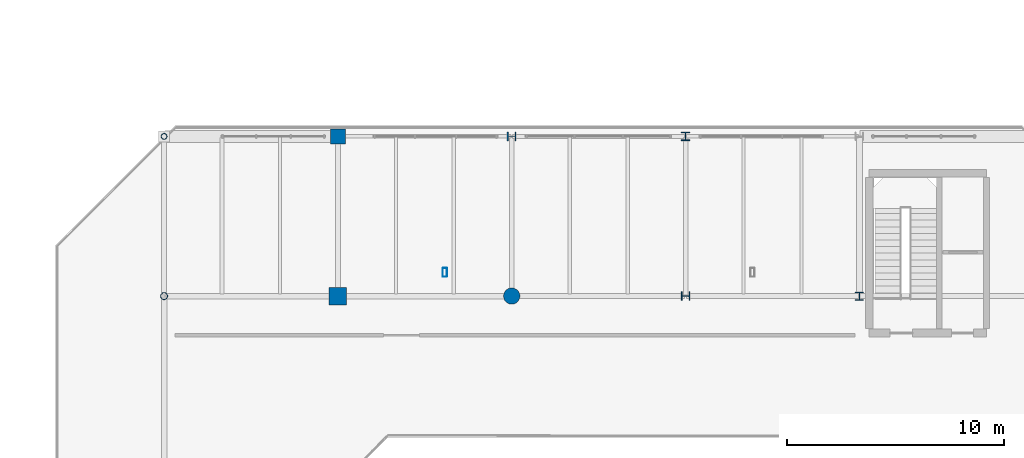
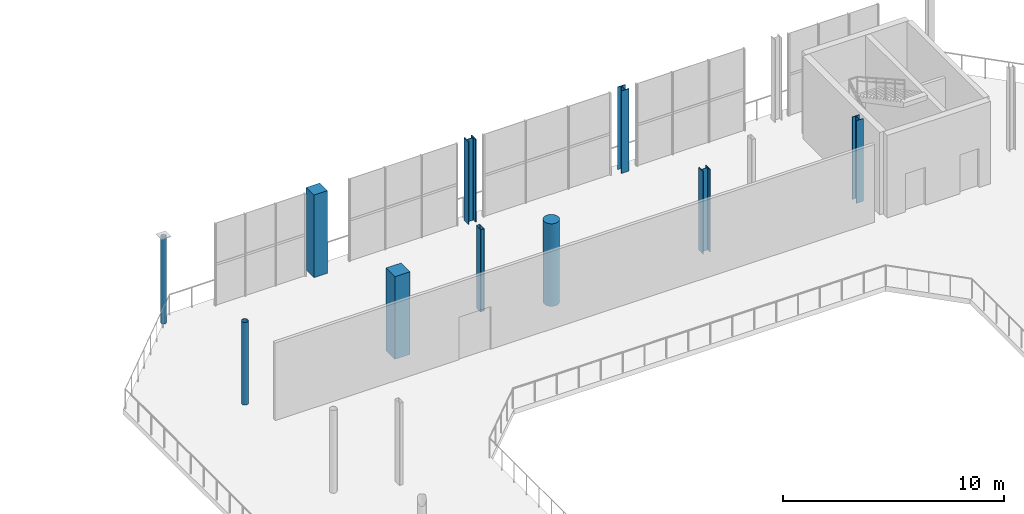
# One storey, part 8 of 51: 10 columns.
"""IFC4 building model written with IfcOpenShell, lengths in metres."""

from ifc_helpers import new_model, si_unit, direction, frame, origin, origin_2d, place, context, subcontext, project, spatial, rectangle, hollow_rectangle, circle, hollow_circle, i_section, extrude, material, material_profile, profile_set, type_object, element, save


model = new_model("IFC4")

# Units and contexts
model_context = context("Model", 3, precision=1e-05, world=origin(), true_north=direction((0.0, 1.0)))
body_context = subcontext(model_context, "Body", "Model", "MODEL_VIEW")
ifc_project = project(units=[si_unit("LENGTHUNIT", "METRE"), si_unit("AREAUNIT", "SQUARE_METRE"), si_unit("VOLUMEUNIT", "CUBIC_METRE"), si_unit("PLANEANGLEUNIT", "RADIAN"), si_unit("MASSUNIT", "GRAM", prefix="KILO")], contexts=[model_context])

# Site, building, storey
site_placement = place(None, origin())
site = spatial("IfcSite", under=ifc_project, at=site_placement, CompositionType="ELEMENT")
building_placement = place(site_placement, origin())
building = spatial("IfcBuilding", under=site, at=building_placement, Name="Brisemont Oceanarium", CompositionType="ELEMENT")
storey_placement = place(building_placement, frame((0.0, 0.0, 15.0)))
storey = spatial("IfcBuildingStorey", under=building, at=storey_placement, Name="L03", CompositionType="ELEMENT", Elevation=15.0)

# Columns
ifc_material_1 = material(Name="Structural Steel ASTM A500 Gr.C", Category="steel")
ifc_material_profile_1 = material_profile(ifc_material_1, hollow_circle(Radius=0.136474609375, WallThickness=0.01171875, at=origin_2d()), Name="HSS10.750X0.500")
ifc_profile_set_1 = profile_set([ifc_material_profile_1], Name="Structural Steel ASTM A500 Gr.C")
column_type_1 = type_object("IfcColumnType", Name="COL-CHS10", PredefinedType="COLUMN", material=ifc_profile_set_1)
column_1_placement = place(storey_placement, frame((64.0, 79.35009765625, 0.0), z_axis=(0.0, 0.0, 1.0), x_axis=(0.0, 1.0, 0.0)))
element("IfcColumn", 1, at=column_1_placement, inside=storey, type_object=column_type_1, Name="V1 L03 column (1,6)", PredefinedType="COLUMN", context=body_context, shape_type="SweptSolid", body=[
    extrude(hollow_circle(Radius=0.136474609375, WallThickness=0.01171875, at=origin_2d()), origin(), (0.0, 0.0, 1.0), 4.800048828125),
])
ifc_material_2 = material(Name="Structural Steel ASTM A500 Gr.C", Category="steel")
ifc_material_profile_2 = material_profile(ifc_material_2, hollow_circle(Radius=0.162109375, WallThickness=0.01171875, at=origin_2d()), Name="HSS12.750X0.500")
ifc_profile_set_2 = profile_set([ifc_material_profile_2], Name="Structural Steel ASTM A500 Gr.C")
column_type_2 = type_object("IfcColumnType", Name="COL-CHS12", PredefinedType="COLUMN", material=ifc_profile_set_2)
column_2_placement = place(storey_placement, frame((64.0, 72.0, 0.0), z_axis=(0.0, 0.0, 1.0), x_axis=(1.0, 0.0, 0.0)))
element("IfcColumn", 2, at=column_2_placement, inside=storey, type_object=column_type_2, Name="V1 L03 column (1,5)", PredefinedType="COLUMN", context=body_context, shape_type="SweptSolid", body=[
    extrude(hollow_circle(Radius=0.162109375, WallThickness=0.01171875, at=origin_2d()), origin(), (0.0, 0.0, 1.0), 4.56005859375),
])
ifc_material_3 = material(Name="Structural Steel ASTM A500 Gr.C", Category="steel")
ifc_material_profile_3 = material_profile(ifc_material_3, hollow_rectangle(XDim=0.202880859375, YDim=0.406005859375, WallThickness=0.01171875, InnerFilletRadius=0.01220703125, OuterFilletRadius=0.02392578125, at=origin_2d()), Name="HSS16X8X1/2")
ifc_profile_set_3 = profile_set([ifc_material_profile_3], Name="Structural Steel ASTM A500 Gr.C")
column_type_3 = type_object("IfcColumnType", Name="COL-HSS16X8", PredefinedType="COLUMN", material=ifc_profile_set_3)
column_3_placement = place(storey_placement, frame((76.92041015625, 73.091796875, 0.0), z_axis=(0.0, 0.0, 1.0), x_axis=(1.0, 0.0, 0.0)))
element("IfcColumn", 3, at=column_3_placement, inside=storey, type_object=column_type_3, Name="V1 dome drum pier L03.3", PredefinedType="COLUMN", context=body_context, shape_type="SweptSolid", body=[
    extrude(hollow_rectangle(XDim=0.202880859375, YDim=0.406005859375, WallThickness=0.01171875, InnerFilletRadius=0.01220703125, OuterFilletRadius=0.02392578125, at=origin_2d()), origin(), (0.0, 0.0, 1.0), 4.5400390625),
])
ifc_material_4 = material(Name="Concrete C35/45", Category="concrete")
ifc_material_profile_4 = material_profile(ifc_material_4, rectangle(XDim=0.699951171875, YDim=0.699951171875, at=origin_2d()), Name="RC-COL-700X700")
ifc_profile_set_4 = profile_set([ifc_material_profile_4], Name="Concrete C35/45")
column_type_4 = type_object("IfcColumnType", Name="COL-RC700", PredefinedType="COLUMN", material=ifc_profile_set_4)
column_4_placement = place(storey_placement, frame((72.0, 79.35009765625, 0.0), z_axis=(0.0, 0.0, 1.0), x_axis=(1.0, 0.0, 0.0)))
element("IfcColumn", 4, at=column_4_placement, inside=storey, type_object=column_type_4, Name="V1 L03 column (2,6)", PredefinedType="COLUMN", context=body_context, shape_type="SweptSolid", body=[
    extrude(rectangle(XDim=0.699951171875, YDim=0.699951171875, at=origin_2d()), origin(), (0.0, 0.0, 1.0), 4.56005859375),
])
ifc_material_5 = material(Name="Concrete C40/50", Category="concrete")
ifc_material_profile_5 = material_profile(ifc_material_5, rectangle(XDim=0.800048828125, YDim=0.800048828125, at=origin_2d()), Name="RC-COL-800X800")
ifc_profile_set_5 = profile_set([ifc_material_profile_5], Name="Concrete C40/50")
column_type_5 = type_object("IfcColumnType", Name="COL-RC800", PredefinedType="COLUMN", material=ifc_profile_set_5)
column_5_placement = place(storey_placement, frame((72.0, 72.0, 0.0), z_axis=(0.0, 0.0, 1.0), x_axis=(0.0, 1.0, 0.0)))
element("IfcColumn", 5, at=column_5_placement, inside=storey, type_object=column_type_5, Name="V1 L03 column (2,5)", PredefinedType="COLUMN", context=body_context, shape_type="SweptSolid", body=[
    extrude(rectangle(XDim=0.800048828125, YDim=0.800048828125, at=origin_2d()), origin(), (0.0, 0.0, 1.0), 4.56005859375),
])
ifc_material_6 = material(Name="Concrete C40/50", Category="concrete")
ifc_material_profile_6 = material_profile(ifc_material_6, circle(Radius=0.375, at=origin_2d()), Name="RC-COL-D750")
ifc_profile_set_6 = profile_set([ifc_material_profile_6], Name="Concrete C40/50")
column_type_6 = type_object("IfcColumnType", Name="COL-RCD750", PredefinedType="COLUMN", material=ifc_profile_set_6)
column_6_placement = place(storey_placement, frame((80.0, 72.0, 0.0), z_axis=(0.0, 0.0, 1.0), x_axis=(1.0, 0.0, 0.0)))
element("IfcColumn", 6, at=column_6_placement, inside=storey, type_object=column_type_6, Name="V1 L03 column (3,5)", PredefinedType="COLUMN", context=body_context, shape_type="SweptSolid", body=[
    extrude(circle(Radius=0.375, at=origin_2d()), origin(), (0.0, 0.0, 1.0), 4.56005859375),
])
ifc_material_7 = material(Name="Structural Steel ASTM A992 Gr.50", Category="steel")
ifc_material_profile_7 = material_profile(ifc_material_7, i_section(OverallWidth=0.3740234375, OverallDepth=0.3720703125, WebThickness=0.016357421875, FlangeThickness=0.026123046875, FilletRadius=0.014892578125, at=origin_2d()), Name="W14X132")
ifc_profile_set_7 = profile_set([ifc_material_profile_7], Name="Structural Steel ASTM A992 Gr.50")
column_type_7 = type_object("IfcColumnType", Name="COL-W14X132", PredefinedType="COLUMN", material=ifc_profile_set_7)
column_7_placement = place(storey_placement, frame((96.0, 72.0, 0.0), z_axis=(0.0, 0.0, 1.0), x_axis=(1.0, 0.0, 0.0)))
element("IfcColumn", 7, at=column_7_placement, inside=storey, type_object=column_type_7, Name="V1 L03 column (5,5)", PredefinedType="COLUMN", context=body_context, shape_type="SweptSolid", body=[
    extrude(i_section(OverallWidth=0.3740234375, OverallDepth=0.3720703125, WebThickness=0.016357421875, FlangeThickness=0.026123046875, FilletRadius=0.014892578125, at=origin_2d()), origin(), (0.0, 0.0, 1.0), 4.56005859375),
])
ifc_material_8 = material(Name="Structural Steel ASTM A992 Gr.50", Category="steel")
ifc_material_profile_8 = material_profile(ifc_material_8, i_section(OverallWidth=0.39892578125, OverallDepth=0.385986328125, WebThickness=0.02099609375, FlangeThickness=0.033203125, FilletRadius=0.014892578125, at=origin_2d()), Name="W14X176")
ifc_profile_set_8 = profile_set([ifc_material_profile_8], Name="Structural Steel ASTM A992 Gr.50")
column_type_8 = type_object("IfcColumnType", Name="COL-W14X176", PredefinedType="COLUMN", material=ifc_profile_set_8)
column_8_placement = place(storey_placement, frame((88.0, 79.35009765625, 0.0), z_axis=(0.0, 0.0, 1.0), x_axis=(1.0, 0.0, 0.0)))
element("IfcColumn", 8, at=column_8_placement, inside=storey, type_object=column_type_8, Name="V1 L03 column (4,6)", PredefinedType="COLUMN", context=body_context, shape_type="SweptSolid", body=[
    extrude(i_section(OverallWidth=0.39892578125, OverallDepth=0.385986328125, WebThickness=0.02099609375, FlangeThickness=0.033203125, FilletRadius=0.014892578125, at=origin_2d()), origin(), (0.0, 0.0, 1.0), 4.56005859375),
])
ifc_material_9 = material(Name="Structural Steel ASTM A992 Gr.50", Category="steel")
ifc_material_profile_9 = material_profile(ifc_material_9, i_section(OverallWidth=0.39990234375, OverallDepth=0.39306640625, WebThickness=0.022705078125, FlangeThickness=0.03662109375, FilletRadius=0.014892578125, at=origin_2d()), Name="W14X193")
ifc_profile_set_9 = profile_set([ifc_material_profile_9], Name="Structural Steel ASTM A992 Gr.50")
column_type_9 = type_object("IfcColumnType", Name="COL-W14X193", PredefinedType="COLUMN", material=ifc_profile_set_9)
column_9_placement = place(storey_placement, frame((88.0, 72.0, 0.0), z_axis=(0.0, 0.0, 1.0), x_axis=(0.0, 1.0, 0.0)))
element("IfcColumn", 9, at=column_9_placement, inside=storey, type_object=column_type_9, Name="V1 L03 column (4,5)", PredefinedType="COLUMN", context=body_context, shape_type="SweptSolid", body=[
    extrude(i_section(OverallWidth=0.39990234375, OverallDepth=0.39306640625, WebThickness=0.022705078125, FlangeThickness=0.03662109375, FilletRadius=0.014892578125, at=origin_2d()), origin(), (0.0, 0.0, 1.0), 4.56005859375),
])
ifc_material_10 = material(Name="Structural Steel ASTM A992 Gr.50", Category="steel")
ifc_material_profile_10 = material_profile(ifc_material_10, i_section(OverallWidth=0.406005859375, OverallDepth=0.416015625, WebThickness=0.02978515625, FlangeThickness=0.048095703125, FilletRadius=0.014892578125, at=origin_2d()), Name="W14X257")
ifc_profile_set_10 = profile_set([ifc_material_profile_10], Name="Structural Steel ASTM A992 Gr.50")
column_type_10 = type_object("IfcColumnType", Name="COL-W14X257", PredefinedType="COLUMN", material=ifc_profile_set_10)
column_10_placement = place(storey_placement, frame((80.0, 79.35009765625, 0.0), z_axis=(0.0, 0.0, 1.0), x_axis=(0.0, 1.0, 0.0)))
element("IfcColumn", 10, at=column_10_placement, inside=storey, type_object=column_type_10, Name="V1 L03 column (3,6)", PredefinedType="COLUMN", context=body_context, shape_type="SweptSolid", body=[
    extrude(i_section(OverallWidth=0.406005859375, OverallDepth=0.416015625, WebThickness=0.02978515625, FlangeThickness=0.048095703125, FilletRadius=0.014892578125, at=origin_2d()), origin(), (0.0, 0.0, 1.0), 4.56005859375),
])

save(model, "model.ifc")
